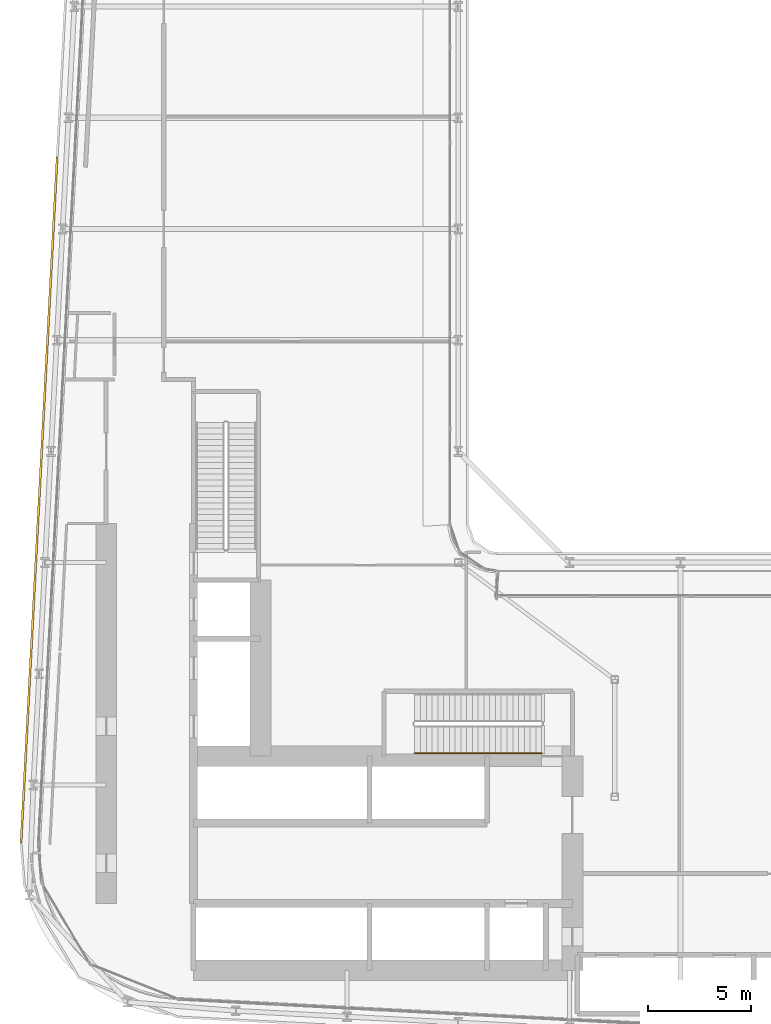
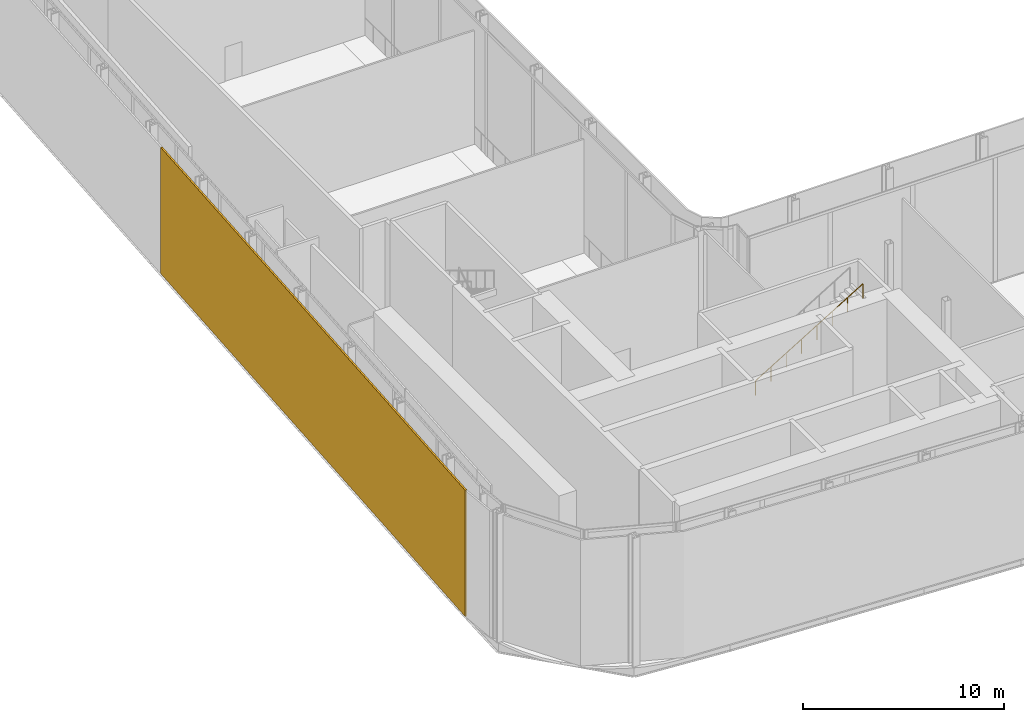
# One storey, part 30 of 36: 1 railing, 1 shading device.
"""IFC4 building model written with IfcOpenShell, lengths in metres."""

from ifc_helpers import new_model, si_unit, direction, frame, origin, origin_2d, place, context, subcontext, project, spatial, rectangle, circle, extrude, material, layer, layer_set, type_object, element, save


model = new_model("IFC4")

# Units and contexts
model_context = context("Model", 3, precision=1e-05, world=origin(), true_north=direction((0.0, 1.0)))
body_context = subcontext(model_context, "Body", "Model", "MODEL_VIEW")
ifc_project = project(units=[si_unit("LENGTHUNIT", "METRE"), si_unit("AREAUNIT", "SQUARE_METRE"), si_unit("VOLUMEUNIT", "CUBIC_METRE"), si_unit("PLANEANGLEUNIT", "RADIAN"), si_unit("MASSUNIT", "GRAM", prefix="KILO")], contexts=[model_context])

# Site, building, storey
site_placement = place(None, origin())
site = spatial("IfcSite", under=ifc_project, at=site_placement, CompositionType="ELEMENT")
building_placement = place(site_placement, origin())
building = spatial("IfcBuilding", under=site, at=building_placement, Name="Kheshtan School and Residences Tower", CompositionType="ELEMENT")
storey_placement = place(building_placement, frame((0.0, 0.0, 81.199951171875)))
storey = spatial("IfcBuildingStorey", under=building, at=storey_placement, Name="L19", CompositionType="ELEMENT", Elevation=81.199951171875)

# Shading device
ifc_material_1 = material(Name="Terracotta baguette, extruded ceramic", Category="masonry")
ifc_layer = layer(ifc_material_1, 0.10009765625)
ifc_layer_set = layer_set([ifc_layer], Name="Ledge screen, terracotta baguettes")
shading_device_type = type_object("IfcShadingDeviceType", Name="Ledge screen, terracotta baguettes", PredefinedType="USERDEFINED", material=ifc_layer_set)
shading_device_placement = place(storey_placement, frame((27.24609375, 48.638916015625, 0.0), z_axis=(0.0, 0.0, 1.0), x_axis=(0.052562536748, 0.998617634398, 0.0)))
element("IfcShadingDevice", 1, at=shading_device_placement, inside=storey, type_object=shading_device_type, Name="Screen L19 6", ObjectType="BAGUETTE", PredefinedType="USERDEFINED", context=body_context, shape_type="SweptSolid", body=[
    extrude(rectangle(XDim=33.341064453125, YDim=0.10009765625, at=origin_2d()), origin(), (0.0, 0.0, 1.0), 7.64990234375),
])

# Railing
ifc_material_2 = material(Name="Stainless steel handrail", Category="steel")
railing_type = type_object("IfcRailingType", Name="Stair handrail 900", PredefinedType="HANDRAIL", material=ifc_material_2)
railing_placement = place(storey_placement, frame((45.489990234375, 36.35009765625, 4.069580078125)))
element("IfcRailing", 2, at=railing_placement, inside=storey, type_object=railing_type, Name="L19 ST1 stair handrail 2", PredefinedType="HANDRAIL", context=body_context, shape_type="SweptSolid", body=[
    extrude(circle(Radius=0.02392578125, at=origin_2d()), frame((0.0, 0.0, 0.8759765625), z_axis=(0.855370820849, 0.0, 0.518016176234), x_axis=(0.0, 1.0, 0.0)), (0.0, 0.0, 1.0), 7.201416015625),
    extrude(circle(Radius=0.02099609375, at=origin_2d()), origin(), (0.0, 0.0, 1.0), 0.851806640625),
    extrude(circle(Radius=0.02099609375, at=origin_2d()), frame((0.8798828125, 0.0, 0.532958984375)), (0.0, 0.0, 1.0), 0.851806640625),
    extrude(circle(Radius=0.02099609375, at=origin_2d()), frame((1.760009765625, 0.0, 1.06591796875)), (0.0, 0.0, 1.0), 0.851806640625),
    extrude(circle(Radius=0.02099609375, at=origin_2d()), frame((2.639892578125, 0.0, 1.598876953125)), (0.0, 0.0, 1.0), 0.851806640625),
    extrude(circle(Radius=0.02099609375, at=origin_2d()), frame((3.52001953125, 0.0, 2.131591796875)), (0.0, 0.0, 1.0), 0.851806640625),
    extrude(circle(Radius=0.02099609375, at=origin_2d()), frame((4.39990234375, 0.0, 2.66455078125)), (0.0, 0.0, 1.0), 0.851806640625),
    extrude(circle(Radius=0.02099609375, at=origin_2d()), frame((5.280029296875, 0.0, 3.197509765625)), (0.0, 0.0, 1.0), 0.851806640625),
    extrude(circle(Radius=0.02099609375, at=origin_2d()), frame((6.159912109375, 0.0, 3.73046875)), (0.0, 0.0, 1.0), 0.851806640625),
])

save(model, "model.ifc")
